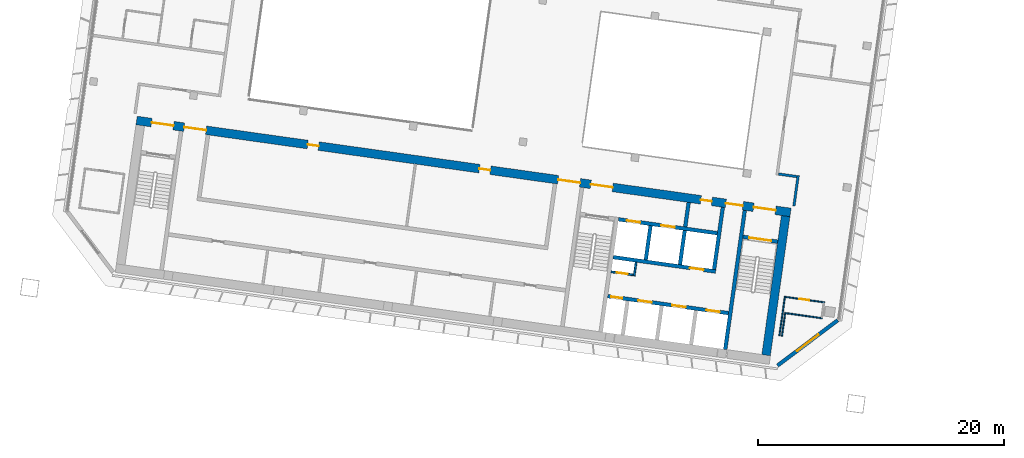
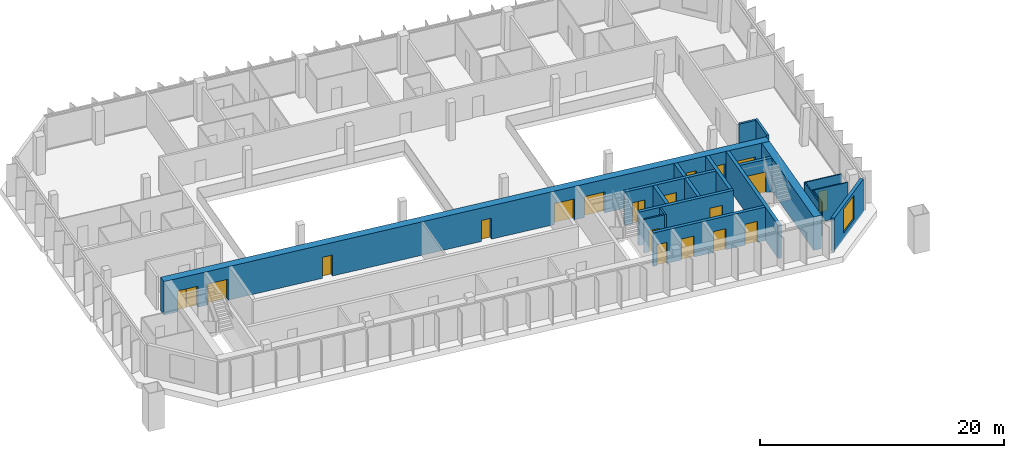
# One storey, part 16 of 25: 20 walls, 19 doors, 1 window, 20 openings.
"""IFC4 building model written with IfcOpenShell, lengths in metres."""

from ifc_helpers import new_model, si_unit, direction, frame, frame_2d, origin, place, context, subcontext, project, spatial, rectangle, extrude, material, layer, layer_set, type_object, element, fill, save


model = new_model("IFC4")

# Units and contexts
model_context = context("Model", 3, precision=1e-05, world=origin(), true_north=direction((0.0, 1.0)))
body_context = subcontext(model_context, "Body", "Model", "MODEL_VIEW")
ifc_project = project(units=[si_unit("LENGTHUNIT", "METRE"), si_unit("AREAUNIT", "SQUARE_METRE"), si_unit("VOLUMEUNIT", "CUBIC_METRE"), si_unit("PLANEANGLEUNIT", "RADIAN"), si_unit("MASSUNIT", "GRAM", prefix="KILO")], contexts=[model_context])

# Site, building, storey
site_placement = place(None, origin())
site = spatial("IfcSite", under=ifc_project, at=site_placement, CompositionType="ELEMENT")
building_placement = place(site_placement, origin())
building = spatial("IfcBuilding", under=site, at=building_placement, Name="Mirante Cascada Hotel Towers", CompositionType="ELEMENT")
storey_placement = place(building_placement, frame((0.0, 0.0, 172.6)))
storey = spatial("IfcBuildingStorey", under=building, at=storey_placement, Name="L40", CompositionType="ELEMENT", Elevation=172.6)

# Walls
ifc_material_1 = material(Name="Fire-rated plasterboard on metal studs")
ifc_layer_1 = layer(ifc_material_1, 0.2)
ifc_layer_set_1 = layer_set([ifc_layer_1], Name="Compartment wall 200 EI 120")
wall_type_1 = type_object("IfcWallType", Name="Compartment wall 200 EI 120", PredefinedType="PARTITIONING", material=ifc_layer_set_1)
wall_1_placement = place(storey_placement, frame((-35.0284, -4.7267, 0.0), z_axis=(0.0, 0.0, 1.0), x_axis=(-0.9902735, 0.1391343, 0.0)))
element("IfcWall", 1, at=wall_1_placement, inside=storey, type_object=wall_type_1, Name="Wall 1-L40-05", PredefinedType="PARTITIONING", context=body_context, shape_type="SweptSolid", body=[
    extrude(rectangle(XDim=1.5, YDim=0.2, at=frame_2d((0.75, 0.0))), origin(), (0.0, 0.0, 1.0), 3.35),
])
wall_2_placement = place(storey_placement, frame((-35.2634, -7.1173, 0.0), z_axis=(0.0, 0.0, 1.0), x_axis=(0.1391586, 0.9902701, 0.0)))
element("IfcWall", 2, at=wall_2_placement, inside=storey, type_object=wall_type_1, Name="Wall 1-L40-25", PredefinedType="PARTITIONING", context=body_context, shape_type="SweptSolid", body=[
    extrude(rectangle(XDim=2.5, YDim=0.2, at=frame_2d((1.25, 0.0))), origin(), (0.0, 0.0, 1.0), 3.35),
])
ifc_material_2 = material(Name="Masonry block", Category="masonry")
ifc_layer_2 = layer(ifc_material_2, 0.15)
ifc_layer_set_2 = layer_set([ifc_layer_2], Name="Core room partition 150 block EI 30")
wall_type_2 = type_object("IfcWallType", Name="Core room partition 150 block EI 30", PredefinedType="PARTITIONING", material=ifc_layer_set_2)
wall_3_placement = place(storey_placement, frame((-48.2295, -12.793, 0.0), z_axis=(0.0, 0.0, 1.0), x_axis=(0.1391935, 0.9902652, 0.0)))
element("IfcWall", 3, at=wall_3_placement, inside=storey, type_object=wall_type_2, Name="Core wall partition T1 L40 2", PredefinedType="PARTITIONING", context=body_context, shape_type="SweptSolid", body=[
    extrude(rectangle(XDim=1.1251, YDim=0.15, at=frame_2d((0.5626, 0.0))), origin(), (0.0, 0.0, 1.0), 3.35),
])

# Wall, opening, door
wall_4_placement = place(storey_placement, frame((-48.2933, -12.7083, 0.0), z_axis=(0.0, 0.0, 1.0), x_axis=(-0.990268, 0.1391734, 0.0)))
wall_4 = element("IfcWall", 4, at=wall_4_placement, inside=storey, type_object=wall_type_2, Name="Core wall partition T1 L40 3", PredefinedType="PARTITIONING", context=body_context, shape_type="SweptSolid", body=[
    extrude(rectangle(XDim=1.8251, YDim=0.15, at=frame_2d((0.9126, 0.0))), origin(), (0.0, 0.0, 1.0), 3.35),
])
opening_1_placement = place(wall_4_placement, frame((0.4625, 0.0, 0.0)))
opening_1 = element("IfcOpeningElement", 5, at=opening_1_placement, cuts=wall_4, Name="Opening D1-40-C17", PredefinedType="OPENING", context=body_context, shape_type="SweptSolid", body=[
    extrude(rectangle(XDim=0.9, YDim=2.1, at=frame_2d((0.45, 1.05))), frame((0.0, 0.075, 0.0), z_axis=(0.0, -1.0, 0.0), x_axis=(1.0, 0.0, 0.0)), (0.0, 0.0, 1.0), 0.15),
])
ifc_material_3 = material(Name="Hollow metal fire door leaf")
door_type_1 = type_object("IfcDoorType", Name="Fire door 900x2100 FD60", OperationType="NOTDEFINED", PredefinedType="DOOR", material=ifc_material_3)
door_1_placement = place(opening_1_placement, origin())
door_1 = element("IfcDoor", 6, at=door_1_placement, inside=storey, type_object=door_type_1, Name="Riser door T1 L40 17", OperationType="SINGLE_SWING_LEFT", OverallHeight=2.1, OverallWidth=0.9, PredefinedType="DOOR", context=body_context, shape_type="SweptSolid", body=[
    extrude(rectangle(XDim=0.9, YDim=2.1, at=frame_2d((0.45, 1.05))), frame((0.0, 0.025, 0.0), z_axis=(0.0, -1.0, 0.0), x_axis=(1.0, 0.0, 0.0)), (0.0, 0.0, 1.0), 0.05),
])
fill(opening_1, door_1)

# Walls
ifc_material_4 = material(Name="Masonry block", Category="masonry")
ifc_layer_3 = layer(ifc_material_4, 0.3)
ifc_layer_set_3 = layer_set([ifc_layer_3], Name="Core wall 300 block EI 120")
wall_type_3 = type_object("IfcWallType", Name="Core wall 300 block EI 120", PredefinedType="PARTITIONING", material=ifc_layer_set_3)
wall_5_placement = place(storey_placement, frame((-44.0843, -8.8061, 0.0), z_axis=(0.0, 0.0, 1.0), x_axis=(0.1391951, 0.990265, 0.0)))
element("IfcWall", 7, at=wall_5_placement, inside=storey, type_object=wall_type_3, Name="Core wall partition T1 L40 1", PredefinedType="PARTITIONING", context=body_context, shape_type="SweptSolid", body=[
    extrude(rectangle(XDim=2.0001, YDim=0.3, at=frame_2d((1.0001, 0.0))), origin(), (0.0, 0.0, 1.0), 3.35),
])
ifc_material_5 = material(Name="Plasterboard on metal studs")
ifc_layer_4 = layer(ifc_material_5, 0.1)
ifc_layer_set_4 = layer_set([ifc_layer_4], Name="Partition 100")
wall_type_4 = type_object("IfcWallType", Name="Partition 100", PredefinedType="PARTITIONING", material=ifc_layer_set_4)
wall_6_placement = place(storey_placement, frame((-32.9588, -16.2267, 0.0), z_axis=(0.0, 0.0, 1.0), x_axis=(-0.9902677, 0.1391761, 0.0)))
element("IfcWall", 8, at=wall_6_placement, inside=storey, type_object=wall_type_4, Name="Wall 1-L40-01", PredefinedType="PARTITIONING", context=body_context, shape_type="SweptSolid", body=[
    extrude(rectangle(XDim=3.0932, YDim=0.1, at=frame_2d((1.5466, 0.0))), origin(), (0.0, 0.0, 1.0), 3.35),
])

# Wall, opening, door
wall_7_placement = place(storey_placement, frame((-32.7778, -14.9393, 0.0), z_axis=(0.0, 0.0, 1.0), x_axis=(-0.9902711, 0.1391513, 0.0)))
wall_7 = element("IfcWall", 9, at=wall_7_placement, inside=storey, type_object=wall_type_4, Name="Wall 1-L40-03", PredefinedType="PARTITIONING", context=body_context, shape_type="SweptSolid", body=[
    extrude(rectangle(XDim=3.3, YDim=0.1, at=frame_2d((1.65, 0.0))), origin(), (0.0, 0.0, 1.0), 3.35),
])
opening_2_placement = place(wall_7_placement, frame((1.25, 0.0, 0.0)))
opening_2 = element("IfcOpeningElement", 10, at=opening_2_placement, cuts=wall_7, Name="Opening D1-L40-01", PredefinedType="OPENING", context=body_context, shape_type="SweptSolid", body=[
    extrude(rectangle(XDim=0.8, YDim=2.1, at=frame_2d((0.4, 1.05))), frame((0.0, 0.05, 0.0), z_axis=(0.0, -1.0, 0.0), x_axis=(1.0, 0.0, 0.0)), (0.0, 0.0, 1.0), 0.1),
])
ifc_material_6 = material(Name="Timber door leaf", Category="wood")
door_type_2 = type_object("IfcDoorType", Name="Bathroom door DG4 800x2100", OperationType="SINGLE_SWING_LEFT", PredefinedType="DOOR", material=ifc_material_6)
door_2_placement = place(opening_2_placement, frame((0.8, 0.0, 0.0), z_axis=(0.0, 0.0, 1.0), x_axis=(-1.0, 0.0, 0.0)))
door_2 = element("IfcDoor", 11, at=door_2_placement, inside=storey, type_object=door_type_2, Name="Door D1-L40-01", OperationType="SINGLE_SWING_RIGHT", OverallHeight=2.1, OverallWidth=0.8, PredefinedType="DOOR", context=body_context, shape_type="SweptSolid", body=[
    extrude(rectangle(XDim=0.8, YDim=2.1, at=frame_2d((0.4, 1.05))), frame((0.0, 0.025, 0.0), z_axis=(0.0, -1.0, 0.0), x_axis=(1.0, 0.0, 0.0)), (0.0, 0.0, 1.0), 0.05),
])
fill(opening_2, door_2)

# Walls
wall_8_placement = place(storey_placement, frame((-36.2368, -17.6847, 0.0), z_axis=(0.0, 0.0, 1.0), x_axis=(0.1391886, 0.9902659, 0.0)))
element("IfcWall", 12, at=wall_8_placement, inside=storey, type_object=wall_type_4, Name="Wall 1-L40-23", PredefinedType="PARTITIONING", context=body_context, shape_type="SweptSolid", body=[
    extrude(rectangle(XDim=1.85, YDim=0.1, at=frame_2d((0.925, 0.0))), origin(), (0.0, 0.0, 1.0), 3.35),
])
wall_9_placement = place(storey_placement, frame((-36.0032, -14.5365, 0.0), z_axis=(0.0, 0.0, 1.0), x_axis=(-0.1391721, -0.9902682, 0.0)))
element("IfcWall", 13, at=wall_9_placement, inside=storey, type_object=wall_type_4, Name="Wall 1-L40-24", PredefinedType="PARTITIONING", context=body_context, shape_type="SweptSolid", body=[
    extrude(rectangle(XDim=3.1501, YDim=0.1, at=frame_2d((1.575, 0.0))), origin(), (0.0, 0.0, 1.0), 3.35),
])

# Wall, opening, window
ifc_material_7 = material(Name="Precast concrete C40/50", Category="concrete")
ifc_layer_5 = layer(ifc_material_7, 0.3)
ifc_layer_set_5 = layer_set([ifc_layer_5], Name="Precast concrete C40/50 cladding wall 300")
wall_type_5 = type_object("IfcWallType", Name="Precast concrete C40/50 cladding wall 300", PredefinedType="STANDARD", material=ifc_layer_set_5)
wall_10_placement = place(storey_placement, frame((-31.7056, -16.3843, 0.0), z_axis=(0.0, 0.0, 1.0), x_axis=(-0.7986362, -0.6018141, 0.0)))
wall_10 = element("IfcWall", 14, at=wall_10_placement, inside=storey, type_object=wall_type_5, Name="Corner cladding wall T1 L40 inner rear", PredefinedType="STANDARD", context=body_context, shape_type="SweptSolid", body=[
    extrude(rectangle(XDim=6.1157, YDim=0.3, at=frame_2d((3.0578, 0.0))), origin(), (0.0, 0.0, 1.0), 3.35),
])
opening_3_placement = place(wall_10_placement, frame((1.9578, 0.0, 0.6)))
opening_3 = element("IfcOpeningElement", 15, at=opening_3_placement, cuts=wall_10, Name="Opening W1-40-04", PredefinedType="OPENING", context=body_context, shape_type="SweptSolid", body=[
    extrude(rectangle(XDim=2.2, YDim=2.4, at=frame_2d((1.1, 1.2))), frame((0.0, 0.15, 0.0), z_axis=(0.0, -1.0, 0.0), x_axis=(1.0, 0.0, 0.0)), (0.0, 0.0, 1.0), 0.3),
])
ifc_material_8 = material(Name="Aluminium frame with clear double glazing", Category="aluminium")
window_type = type_object("IfcWindowType", Name="Corner suite window 2200x2400", PartitioningType="DOUBLE_PANEL_VERTICAL", PredefinedType="WINDOW", material=ifc_material_8)
window_placement = place(opening_3_placement, origin())
window = element("IfcWindow", 16, at=window_placement, inside=storey, type_object=window_type, Name="Window W1-40-04", OverallHeight=2.4, OverallWidth=2.2, PartitioningType="SINGLE_PANEL", PredefinedType="WINDOW", context=body_context, shape_type="SweptSolid", body=[
    extrude(rectangle(XDim=2.2, YDim=2.4, at=frame_2d((1.1, 1.2))), frame((0.0, 0.03, 0.0), z_axis=(0.0, -1.0, 0.0), x_axis=(1.0, 0.0, 0.0)), (0.0, 0.0, 1.0), 0.06),
])
fill(opening_3, window)

# Wall
ifc_material_9 = material(Name="Concrete C50/60", Category="concrete")
ifc_layer_6 = layer(ifc_material_9, 0.3)
ifc_layer_set_6 = layer_set([ifc_layer_6], Name="RC core wall 300 C50/60")
wall_type_6 = type_object("IfcWallType", Name="RC core wall 300 C50/60", PredefinedType="SHEAR", material=ifc_layer_set_6)
wall_11_placement = place(storey_placement, frame((-40.8373, -18.7548, 0.0), z_axis=(0.0, 0.0, 1.0), x_axis=(0.1391749, 0.9902678, 0.0)))
element("IfcWall", 17, at=wall_11_placement, inside=storey, type_object=wall_type_6, Name="Core wall T1:L40:5", PredefinedType="SHEAR", context=body_context, shape_type="SweptSolid", body=[
    extrude(rectangle(XDim=11.4, YDim=0.3, at=frame_2d((5.7, 0.0))), origin(), (0.0, 0.0, 1.0), 3.35),
])

# Wall, opening, door
wall_12_placement = place(storey_placement, frame((-36.5791, -10.0123, 0.0), z_axis=(0.0, 0.0, 1.0), x_axis=(-0.9902704, 0.1391564, 0.0)))
wall_12 = element("IfcWall", 18, at=wall_12_placement, inside=storey, type_object=wall_type_6, Name="Core wall T1:L40:9", PredefinedType="SHEAR", context=body_context, shape_type="SweptSolid", body=[
    extrude(rectangle(XDim=2.85, YDim=0.3, at=frame_2d((1.425, 0.0))), origin(), (0.0, 0.0, 1.0), 3.35),
])
opening_4_placement = place(wall_12_placement, frame((0.525, 0.0, 0.0)))
opening_4 = element("IfcOpeningElement", 19, at=opening_4_placement, cuts=wall_12, Name="Opening D1-40-C07", PredefinedType="OPENING", context=body_context, shape_type="SweptSolid", body=[
    extrude(rectangle(XDim=1.8, YDim=2.1, at=frame_2d((0.9, 1.05))), frame((0.0, 0.15, 0.0), z_axis=(0.0, -1.0, 0.0), x_axis=(1.0, 0.0, 0.0)), (0.0, 0.0, 1.0), 0.3),
])
ifc_material_10 = material(Name="Hollow metal fire door leaf")
door_type_3 = type_object("IfcDoorType", Name="Double fire door 1800x2100 FD60", OperationType="DOUBLE_DOOR_SINGLE_SWING", PredefinedType="DOOR", material=ifc_material_10)
door_3_placement = place(opening_4_placement, origin())
door_3 = element("IfcDoor", 20, at=door_3_placement, inside=storey, type_object=door_type_3, Name="Stair door T1 L40 7", OperationType="DOUBLE_DOOR_SINGLE_SWING", OverallHeight=2.1, OverallWidth=1.8, PredefinedType="DOOR", context=body_context, shape_type="SweptSolid", body=[
    extrude(rectangle(XDim=0.895, YDim=2.1, at=frame_2d((0.4475, 1.05))), frame((0.0, 0.025, 0.0), z_axis=(0.0, -1.0, 0.0), x_axis=(1.0, 0.0, 0.0)), (0.0, 0.0, 1.0), 0.05),
    extrude(rectangle(XDim=0.895, YDim=2.1, at=frame_2d((1.3525, 1.05))), frame((0.0, 0.025, 0.0), z_axis=(0.0, -1.0, 0.0), x_axis=(1.0, 0.0, 0.0)), (0.0, 0.0, 1.0), 0.05),
])
fill(opening_4, door_3)

# Wall, openings, doors
wall_13_placement = place(storey_placement, frame((-40.5753, -15.8126, 0.0), z_axis=(0.0, 0.0, 1.0), x_axis=(-0.9902682, 0.1391725, 0.0)))
wall_13 = element("IfcWall", 21, at=wall_13_placement, inside=storey, type_object=wall_type_6, Name="Core wall T1:L40:12", PredefinedType="SHEAR", context=body_context, shape_type="SweptSolid", body=[
    extrude(rectangle(XDim=9.8999, YDim=0.3, at=frame_2d((4.95, 0.0))), origin(), (0.0, 0.0, 1.0), 3.35),
])
opening_5_placement = place(wall_13_placement, frame((0.7, 0.0, 0.0)))
opening_5 = element("IfcOpeningElement", 22, at=opening_5_placement, cuts=wall_13, Name="Opening LD", PredefinedType="OPENING", context=body_context, shape_type="SweptSolid", body=[
    extrude(rectangle(XDim=1.1, YDim=2.1, at=frame_2d((0.55, 1.05))), frame((0.0, 0.15, 0.0), z_axis=(0.0, -1.0, 0.0), x_axis=(1.0, 0.0, 0.0)), (0.0, 0.0, 1.0), 0.3),
])
opening_6_placement = place(wall_13_placement, frame((3.5, 0.0, 0.0)))
opening_6 = element("IfcOpeningElement", 23, at=opening_6_placement, cuts=wall_13, Name="Opening LD", PredefinedType="OPENING", context=body_context, shape_type="SweptSolid", body=[
    extrude(rectangle(XDim=1.1, YDim=2.1, at=frame_2d((0.55, 1.05))), frame((0.0, 0.15, 0.0), z_axis=(0.0, -1.0, 0.0), x_axis=(1.0, 0.0, 0.0)), (0.0, 0.0, 1.0), 0.3),
])
opening_7_placement = place(wall_13_placement, frame((6.3, 0.0, 0.0)))
opening_7 = element("IfcOpeningElement", 24, at=opening_7_placement, cuts=wall_13, Name="Opening LD", PredefinedType="OPENING", context=body_context, shape_type="SweptSolid", body=[
    extrude(rectangle(XDim=1.1, YDim=2.1, at=frame_2d((0.55, 1.05))), frame((0.0, 0.15, 0.0), z_axis=(0.0, -1.0, 0.0), x_axis=(1.0, 0.0, 0.0)), (0.0, 0.0, 1.0), 0.3),
])
opening_8_placement = place(wall_13_placement, frame((8.7, 0.0, 0.0)))
opening_8 = element("IfcOpeningElement", 25, at=opening_8_placement, cuts=wall_13, Name="Opening D1-40-C16", PredefinedType="OPENING", context=body_context, shape_type="SweptSolid", body=[
    extrude(rectangle(XDim=0.9, YDim=2.1, at=frame_2d((0.45, 1.05))), frame((0.0, 0.15, 0.0), z_axis=(0.0, -1.0, 0.0), x_axis=(1.0, 0.0, 0.0)), (0.0, 0.0, 1.0), 0.3),
])
door_4_placement = place(opening_8_placement, origin())
door_4 = element("IfcDoor", 26, at=door_4_placement, inside=storey, type_object=door_type_1, Name="Riser door T1 L40 16", OperationType="SINGLE_SWING_LEFT", OverallHeight=2.1, OverallWidth=0.9, PredefinedType="DOOR", context=body_context, shape_type="SweptSolid", body=[
    extrude(rectangle(XDim=0.9, YDim=2.1, at=frame_2d((0.45, 1.05))), frame((0.0, 0.025, 0.0), z_axis=(0.0, -1.0, 0.0), x_axis=(1.0, 0.0, 0.0)), (0.0, 0.0, 1.0), 0.05),
])
fill(opening_8, door_4)
ifc_material_11 = material(Name="Stainless steel", Category="steel")
door_type_4 = type_object("IfcDoorType", Name="Lift landing door 1100x2100 EI 120", OperationType="DOUBLE_DOOR_SLIDING", PredefinedType="DOOR", material=ifc_material_11)
door_5_placement = place(opening_5_placement, origin())
door_5 = element("IfcDoor", 27, at=door_5_placement, inside=storey, type_object=door_type_4, Name="Lift landing door HR1-1 L40", OperationType="DOUBLE_DOOR_SLIDING", OverallHeight=2.1, OverallWidth=1.1, PredefinedType="DOOR", context=body_context, shape_type="SweptSolid", body=[
    extrude(rectangle(XDim=0.545, YDim=2.1, at=frame_2d((0.2725, 1.05))), frame((0.0, 0.025, 0.0), z_axis=(0.0, -1.0, 0.0), x_axis=(1.0, 0.0, 0.0)), (0.0, 0.0, 1.0), 0.05),
    extrude(rectangle(XDim=0.545, YDim=2.1, at=frame_2d((0.8275, 1.05))), frame((0.0, 0.025, 0.0), z_axis=(0.0, -1.0, 0.0), x_axis=(1.0, 0.0, 0.0)), (0.0, 0.0, 1.0), 0.05),
])
fill(opening_5, door_5)
door_6_placement = place(opening_6_placement, origin())
door_6 = element("IfcDoor", 28, at=door_6_placement, inside=storey, type_object=door_type_4, Name="Lift landing door HR1-2 L40", OperationType="DOUBLE_DOOR_SLIDING", OverallHeight=2.1, OverallWidth=1.1, PredefinedType="DOOR", context=body_context, shape_type="SweptSolid", body=[
    extrude(rectangle(XDim=0.545, YDim=2.1, at=frame_2d((0.2725, 1.05))), frame((0.0, 0.025, 0.0), z_axis=(0.0, -1.0, 0.0), x_axis=(1.0, 0.0, 0.0)), (0.0, 0.0, 1.0), 0.05),
    extrude(rectangle(XDim=0.545, YDim=2.1, at=frame_2d((0.8275, 1.05))), frame((0.0, 0.025, 0.0), z_axis=(0.0, -1.0, 0.0), x_axis=(1.0, 0.0, 0.0)), (0.0, 0.0, 1.0), 0.05),
])
fill(opening_6, door_6)
door_7_placement = place(opening_7_placement, origin())
door_7 = element("IfcDoor", 29, at=door_7_placement, inside=storey, type_object=door_type_4, Name="Lift landing door HR1-3 L40", OperationType="DOUBLE_DOOR_SLIDING", OverallHeight=2.1, OverallWidth=1.1, PredefinedType="DOOR", context=body_context, shape_type="SweptSolid", body=[
    extrude(rectangle(XDim=0.545, YDim=2.1, at=frame_2d((0.2725, 1.05))), frame((0.0, 0.025, 0.0), z_axis=(0.0, -1.0, 0.0), x_axis=(1.0, 0.0, 0.0)), (0.0, 0.0, 1.0), 0.05),
    extrude(rectangle(XDim=0.545, YDim=2.1, at=frame_2d((0.8275, 1.05))), frame((0.0, 0.025, 0.0), z_axis=(0.0, -1.0, 0.0), x_axis=(1.0, 0.0, 0.0)), (0.0, 0.0, 1.0), 0.05),
])
fill(opening_7, door_7)

# Wall, opening, door
wall_14_placement = place(storey_placement, frame((-41.6153, -12.435, 0.0), z_axis=(0.0, 0.0, 1.0), x_axis=(-0.9902691, 0.139166, 0.0)))
wall_14 = element("IfcWall", 30, at=wall_14_placement, inside=storey, type_object=wall_type_6, Name="Core wall T1:L40:13", PredefinedType="SHEAR", context=body_context, shape_type="SweptSolid", body=[
    extrude(rectangle(XDim=8.4, YDim=0.3, at=frame_2d((4.2, 0.0))), origin(), (0.0, 0.0, 1.0), 3.35),
])
opening_9_placement = place(wall_14_placement, frame((1.0, 0.0, 0.0)))
opening_9 = element("IfcOpeningElement", 31, at=opening_9_placement, cuts=wall_14, Name="Opening LD", PredefinedType="OPENING", context=body_context, shape_type="SweptSolid", body=[
    extrude(rectangle(XDim=1.1, YDim=2.1, at=frame_2d((0.55, 1.05))), frame((0.0, 0.15, 0.0), z_axis=(0.0, -1.0, 0.0), x_axis=(1.0, 0.0, 0.0)), (0.0, 0.0, 1.0), 0.3),
])
door_8_placement = place(opening_9_placement, origin())
door_8 = element("IfcDoor", 32, at=door_8_placement, inside=storey, type_object=door_type_4, Name="Lift landing door HR1-4 L40", OperationType="DOUBLE_DOOR_SLIDING", OverallHeight=2.1, OverallWidth=1.1, PredefinedType="DOOR", context=body_context, shape_type="SweptSolid", body=[
    extrude(rectangle(XDim=0.545, YDim=2.1, at=frame_2d((0.2725, 1.05))), frame((0.0, 0.025, 0.0), z_axis=(0.0, -1.0, 0.0), x_axis=(1.0, 0.0, 0.0)), (0.0, 0.0, 1.0), 0.05),
    extrude(rectangle(XDim=0.545, YDim=2.1, at=frame_2d((0.8275, 1.05))), frame((0.0, 0.025, 0.0), z_axis=(0.0, -1.0, 0.0), x_axis=(1.0, 0.0, 0.0)), (0.0, 0.0, 1.0), 0.05),
])
fill(opening_9, door_8)

# Wall, openings, doors
wall_15_placement = place(storey_placement, frame((-41.481, -9.3234, 0.0), z_axis=(0.0, 0.0, 1.0), x_axis=(-0.9902679, 0.1391741, 0.0)))
wall_15 = element("IfcWall", 33, at=wall_15_placement, inside=storey, type_object=wall_type_6, Name="Core wall T1:L40:14", PredefinedType="SHEAR", context=body_context, shape_type="SweptSolid", body=[
    extrude(rectangle(XDim=8.0999, YDim=0.3, at=frame_2d((4.05, 0.0))), origin(), (0.0, 0.0, 1.0), 3.35),
])
opening_10_placement = place(wall_15_placement, frame((3.5, 0.0, 0.0)))
opening_10 = element("IfcOpeningElement", 34, at=opening_10_placement, cuts=wall_15, Name="Opening LD", PredefinedType="OPENING", context=body_context, shape_type="SweptSolid", body=[
    extrude(rectangle(XDim=1.1, YDim=2.1, at=frame_2d((0.55, 1.05))), frame((0.0, 0.15, 0.0), z_axis=(0.0, -1.0, 0.0), x_axis=(1.0, 0.0, 0.0)), (0.0, 0.0, 1.0), 0.3),
])
opening_11_placement = place(wall_15_placement, frame((6.3, 0.0, 0.0)))
opening_11 = element("IfcOpeningElement", 35, at=opening_11_placement, cuts=wall_15, Name="Opening LD", PredefinedType="OPENING", context=body_context, shape_type="SweptSolid", body=[
    extrude(rectangle(XDim=1.1, YDim=2.1, at=frame_2d((0.55, 1.05))), frame((0.0, 0.15, 0.0), z_axis=(0.0, -1.0, 0.0), x_axis=(1.0, 0.0, 0.0)), (0.0, 0.0, 1.0), 0.3),
])
door_9_placement = place(opening_10_placement, origin())
door_9 = element("IfcDoor", 36, at=door_9_placement, inside=storey, type_object=door_type_4, Name="Lift landing door FF1 L40", OperationType="DOUBLE_DOOR_SLIDING", OverallHeight=2.1, OverallWidth=1.1, PredefinedType="DOOR", context=body_context, shape_type="SweptSolid", body=[
    extrude(rectangle(XDim=0.545, YDim=2.1, at=frame_2d((0.2725, 1.05))), frame((0.0, 0.025, 0.0), z_axis=(0.0, -1.0, 0.0), x_axis=(1.0, 0.0, 0.0)), (0.0, 0.0, 1.0), 0.05),
    extrude(rectangle(XDim=0.545, YDim=2.1, at=frame_2d((0.8275, 1.05))), frame((0.0, 0.025, 0.0), z_axis=(0.0, -1.0, 0.0), x_axis=(1.0, 0.0, 0.0)), (0.0, 0.0, 1.0), 0.05),
])
fill(opening_10, door_9)
door_10_placement = place(opening_11_placement, origin())
door_10 = element("IfcDoor", 37, at=door_10_placement, inside=storey, type_object=door_type_4, Name="Lift landing door FF2 L40", OperationType="DOUBLE_DOOR_SLIDING", OverallHeight=2.1, OverallWidth=1.1, PredefinedType="DOOR", context=body_context, shape_type="SweptSolid", body=[
    extrude(rectangle(XDim=0.545, YDim=2.1, at=frame_2d((0.2725, 1.05))), frame((0.0, 0.025, 0.0), z_axis=(0.0, -1.0, 0.0), x_axis=(1.0, 0.0, 0.0)), (0.0, 0.0, 1.0), 0.05),
    extrude(rectangle(XDim=0.545, YDim=2.1, at=frame_2d((0.8275, 1.05))), frame((0.0, 0.025, 0.0), z_axis=(0.0, -1.0, 0.0), x_axis=(1.0, 0.0, 0.0)), (0.0, 0.0, 1.0), 0.05),
])
fill(opening_11, door_10)

# Walls
for number, where, z_axis, x_axis, name in (
    (38, (-44.5157, -11.8759, 0.0), (0.0, 0.0, 1.0), (0.139181, 0.990267, 0.0), "Core wall T1:L40:18"),
    (39, (-47.2885, -11.4862, 0.0), (0.0, 0.0, 1.0), (0.139181, 0.990267, 0.0), "Core wall T1:L40:19"),
):
    element("IfcWall", number, at=place(storey_placement, frame(where, z_axis=z_axis, x_axis=x_axis)), inside=storey, type_object=wall_type_6, Name=name, PredefinedType="SHEAR", context=body_context, shape_type="SweptSolid", body=[
        extrude(rectangle(XDim=2.8, YDim=0.3, at=frame_2d((1.4, 0.0))), origin(), (0.0, 0.0, 1.0), 3.35),
    ])
wall_16_placement = place(storey_placement, frame((-41.743, -12.2656, 0.0), z_axis=(0.0, 0.0, 1.0), x_axis=(0.1391755, 0.9902677, 0.0)))
element("IfcWall", 40, at=wall_16_placement, inside=storey, type_object=wall_type_6, Name="Core wall T1:L40:20", PredefinedType="SHEAR", context=body_context, shape_type="SweptSolid", body=[
    extrude(rectangle(XDim=5.1, YDim=0.3, at=frame_2d((2.55, 0.0))), origin(), (0.0, 0.0, 1.0), 3.35),
])

# Wall, openings, doors
ifc_material_12 = material(Name="Concrete C50/60", Category="concrete")
ifc_layer_7 = layer(ifc_material_12, 0.7)
ifc_layer_set_7 = layer_set([ifc_layer_7], Name="RC core wall 700 C50/60")
wall_type_7 = type_object("IfcWallType", Name="RC core wall 700 C50/60", PredefinedType="SHEAR", material=ifc_layer_set_7)
wall_17_placement = place(storey_placement, frame((-35.538, -7.6341, 0.0), z_axis=(0.0, 0.0, 1.0), x_axis=(-0.990268, 0.1391734, 0.0)))
wall_17 = element("IfcWall", 41, at=wall_17_placement, inside=storey, type_object=wall_type_7, Name="Core wall T1:L40:2", PredefinedType="SHEAR", context=body_context, shape_type="SweptSolid", body=[
    extrude(rectangle(XDim=53.6, YDim=0.7, at=frame_2d((26.8, 0.0))), origin(), (0.0, 0.0, 1.0), 3.35),
])
opening_12_placement = place(wall_17_placement, frame((1.225, 0.0, 0.0)))
opening_12 = element("IfcOpeningElement", 42, at=opening_12_placement, cuts=wall_17, Name="Opening D1-40-C08", PredefinedType="OPENING", context=body_context, shape_type="SweptSolid", body=[
    extrude(rectangle(XDim=1.8, YDim=2.1, at=frame_2d((0.9, 1.05))), frame((0.0, 0.35, 0.0), z_axis=(0.0, -1.0, 0.0), x_axis=(1.0, 0.0, 0.0)), (0.0, 0.0, 1.0), 0.7),
])
opening_13_placement = place(wall_17_placement, frame((14.575, 0.0, 0.0)))
opening_13 = element("IfcOpeningElement", 43, at=opening_13_placement, cuts=wall_17, Name="Opening D1-40-C10", PredefinedType="OPENING", context=body_context, shape_type="SweptSolid", body=[
    extrude(rectangle(XDim=1.8, YDim=2.1, at=frame_2d((0.9, 1.05))), frame((0.0, 0.35, 0.0), z_axis=(0.0, -1.0, 0.0), x_axis=(1.0, 0.0, 0.0)), (0.0, 0.0, 1.0), 0.7),
])
opening_14_placement = place(wall_17_placement, frame((50.575, 0.0, 0.0)))
opening_14 = element("IfcOpeningElement", 44, at=opening_14_placement, cuts=wall_17, Name="Opening D1-40-C12", PredefinedType="OPENING", context=body_context, shape_type="SweptSolid", body=[
    extrude(rectangle(XDim=1.8, YDim=2.1, at=frame_2d((0.9, 1.05))), frame((0.0, 0.35, 0.0), z_axis=(0.0, -1.0, 0.0), x_axis=(1.0, 0.0, 0.0)), (0.0, 0.0, 1.0), 0.7),
])
opening_15_placement = place(wall_17_placement, frame((3.9, 0.0, 0.0)))
opening_15 = element("IfcOpeningElement", 45, at=opening_15_placement, cuts=wall_17, Name="Opening D1-40-C13", PredefinedType="OPENING", context=body_context, shape_type="SweptSolid", body=[
    extrude(rectangle(XDim=1.4, YDim=2.1, at=frame_2d((0.7, 1.05))), frame((0.0, 0.35, 0.0), z_axis=(0.0, -1.0, 0.0), x_axis=(1.0, 0.0, 0.0)), (0.0, 0.0, 1.0), 0.7),
])
opening_16_placement = place(wall_17_placement, frame((17.25, 0.0, 0.0)))
opening_16 = element("IfcOpeningElement", 46, at=opening_16_placement, cuts=wall_17, Name="Opening D1-40-C14", PredefinedType="OPENING", context=body_context, shape_type="SweptSolid", body=[
    extrude(rectangle(XDim=1.8, YDim=2.1, at=frame_2d((0.9, 1.05))), frame((0.0, 0.35, 0.0), z_axis=(0.0, -1.0, 0.0), x_axis=(1.0, 0.0, 0.0)), (0.0, 0.0, 1.0), 0.7),
])
opening_17_placement = place(wall_17_placement, frame((47.9, 0.0, 0.0)))
opening_17 = element("IfcOpeningElement", 47, at=opening_17_placement, cuts=wall_17, Name="Opening D1-40-C15", PredefinedType="OPENING", context=body_context, shape_type="SweptSolid", body=[
    extrude(rectangle(XDim=1.8, YDim=2.1, at=frame_2d((0.9, 1.05))), frame((0.0, 0.35, 0.0), z_axis=(0.0, -1.0, 0.0), x_axis=(1.0, 0.0, 0.0)), (0.0, 0.0, 1.0), 0.7),
])
opening_18_placement = place(wall_17_placement, frame((6.45, 0.0, 0.0)))
opening_18 = element("IfcOpeningElement", 48, at=opening_18_placement, cuts=wall_17, Name="Opening D1-40-C18", PredefinedType="OPENING", context=body_context, shape_type="SweptSolid", body=[
    extrude(rectangle(XDim=0.9, YDim=2.1, at=frame_2d((0.45, 1.05))), frame((0.0, 0.35, 0.0), z_axis=(0.0, -1.0, 0.0), x_axis=(1.0, 0.0, 0.0)), (0.0, 0.0, 1.0), 0.7),
])
opening_19_placement = place(wall_17_placement, frame((24.6, 0.0, 0.0)))
opening_19 = element("IfcOpeningElement", 49, at=opening_19_placement, cuts=wall_17, Name="Opening D1-40-C24", PredefinedType="OPENING", context=body_context, shape_type="SweptSolid", body=[
    extrude(rectangle(XDim=0.9, YDim=2.1, at=frame_2d((0.45, 1.05))), frame((0.0, 0.35, 0.0), z_axis=(0.0, -1.0, 0.0), x_axis=(1.0, 0.0, 0.0)), (0.0, 0.0, 1.0), 0.7),
])
opening_20_placement = place(wall_17_placement, frame((38.675, 0.0, 0.0)))
opening_20 = element("IfcOpeningElement", 50, at=opening_20_placement, cuts=wall_17, Name="Opening D1-40-C25", PredefinedType="OPENING", context=body_context, shape_type="SweptSolid", body=[
    extrude(rectangle(XDim=0.9, YDim=2.1, at=frame_2d((0.45, 1.05))), frame((0.0, 0.35, 0.0), z_axis=(0.0, -1.0, 0.0), x_axis=(1.0, 0.0, 0.0)), (0.0, 0.0, 1.0), 0.7),
])
ifc_material_13 = material(Name="Hollow metal fire door leaf")
door_type_5 = type_object("IfcDoorType", Name="Double fire door 1400x2100 FD60", OperationType="DOUBLE_DOOR_SINGLE_SWING", PredefinedType="DOOR", material=ifc_material_13)
door_11_placement = place(opening_15_placement, frame((1.4, 0.0, 0.0), z_axis=(0.0, 0.0, 1.0), x_axis=(-1.0, 0.0, 0.0)))
door_11 = element("IfcDoor", 51, at=door_11_placement, inside=storey, type_object=door_type_5, Name="Exit door to gallery T1 L40 13", OperationType="DOUBLE_DOOR_SINGLE_SWING", OverallHeight=2.1, OverallWidth=1.4, PredefinedType="DOOR", context=body_context, shape_type="SweptSolid", body=[
    extrude(rectangle(XDim=0.695, YDim=2.1, at=frame_2d((0.3475, 1.05))), frame((0.0, 0.025, 0.0), z_axis=(0.0, -1.0, 0.0), x_axis=(1.0, 0.0, 0.0)), (0.0, 0.0, 1.0), 0.05),
    extrude(rectangle(XDim=0.695, YDim=2.1, at=frame_2d((1.0525, 1.05))), frame((0.0, 0.025, 0.0), z_axis=(0.0, -1.0, 0.0), x_axis=(1.0, 0.0, 0.0)), (0.0, 0.0, 1.0), 0.05),
])
fill(opening_15, door_11)
door_12_placement = place(opening_12_placement, origin())
door_12 = element("IfcDoor", 52, at=door_12_placement, inside=storey, type_object=door_type_3, Name="Exit door to gallery T1 L40 8", OperationType="DOUBLE_DOOR_SINGLE_SWING", OverallHeight=2.1, OverallWidth=1.8, PredefinedType="DOOR", context=body_context, shape_type="SweptSolid", body=[
    extrude(rectangle(XDim=0.895, YDim=2.1, at=frame_2d((0.4475, 1.05))), frame((0.0, 0.025, 0.0), z_axis=(0.0, -1.0, 0.0), x_axis=(1.0, 0.0, 0.0)), (0.0, 0.0, 1.0), 0.05),
    extrude(rectangle(XDim=0.895, YDim=2.1, at=frame_2d((1.3525, 1.05))), frame((0.0, 0.025, 0.0), z_axis=(0.0, -1.0, 0.0), x_axis=(1.0, 0.0, 0.0)), (0.0, 0.0, 1.0), 0.05),
])
fill(opening_12, door_12)
door_13_placement = place(opening_13_placement, origin())
door_13 = element("IfcDoor", 53, at=door_13_placement, inside=storey, type_object=door_type_3, Name="Exit door to gallery T1 L40 10", OperationType="DOUBLE_DOOR_SINGLE_SWING", OverallHeight=2.1, OverallWidth=1.8, PredefinedType="DOOR", context=body_context, shape_type="SweptSolid", body=[
    extrude(rectangle(XDim=0.895, YDim=2.1, at=frame_2d((0.4475, 1.05))), frame((0.0, 0.025, 0.0), z_axis=(0.0, -1.0, 0.0), x_axis=(1.0, 0.0, 0.0)), (0.0, 0.0, 1.0), 0.05),
    extrude(rectangle(XDim=0.895, YDim=2.1, at=frame_2d((1.3525, 1.05))), frame((0.0, 0.025, 0.0), z_axis=(0.0, -1.0, 0.0), x_axis=(1.0, 0.0, 0.0)), (0.0, 0.0, 1.0), 0.05),
])
fill(opening_13, door_13)
door_14_placement = place(opening_14_placement, origin())
door_14 = element("IfcDoor", 54, at=door_14_placement, inside=storey, type_object=door_type_3, Name="Exit door to gallery T1 L40 12", OperationType="DOUBLE_DOOR_SINGLE_SWING", OverallHeight=2.1, OverallWidth=1.8, PredefinedType="DOOR", context=body_context, shape_type="SweptSolid", body=[
    extrude(rectangle(XDim=0.895, YDim=2.1, at=frame_2d((0.4475, 1.05))), frame((0.0, 0.025, 0.0), z_axis=(0.0, -1.0, 0.0), x_axis=(1.0, 0.0, 0.0)), (0.0, 0.0, 1.0), 0.05),
    extrude(rectangle(XDim=0.895, YDim=2.1, at=frame_2d((1.3525, 1.05))), frame((0.0, 0.025, 0.0), z_axis=(0.0, -1.0, 0.0), x_axis=(1.0, 0.0, 0.0)), (0.0, 0.0, 1.0), 0.05),
])
fill(opening_14, door_14)
door_15_placement = place(opening_16_placement, frame((1.8, 0.0, 0.0), z_axis=(0.0, 0.0, 1.0), x_axis=(-1.0, 0.0, 0.0)))
door_15 = element("IfcDoor", 55, at=door_15_placement, inside=storey, type_object=door_type_3, Name="Exit door to gallery T1 L40 14", OperationType="DOUBLE_DOOR_SINGLE_SWING", OverallHeight=2.1, OverallWidth=1.8, PredefinedType="DOOR", context=body_context, shape_type="SweptSolid", body=[
    extrude(rectangle(XDim=0.895, YDim=2.1, at=frame_2d((0.4475, 1.05))), frame((0.0, 0.025, 0.0), z_axis=(0.0, -1.0, 0.0), x_axis=(1.0, 0.0, 0.0)), (0.0, 0.0, 1.0), 0.05),
    extrude(rectangle(XDim=0.895, YDim=2.1, at=frame_2d((1.3525, 1.05))), frame((0.0, 0.025, 0.0), z_axis=(0.0, -1.0, 0.0), x_axis=(1.0, 0.0, 0.0)), (0.0, 0.0, 1.0), 0.05),
])
fill(opening_16, door_15)
door_16_placement = place(opening_17_placement, frame((1.8, 0.0, 0.0), z_axis=(0.0, 0.0, 1.0), x_axis=(-1.0, 0.0, 0.0)))
door_16 = element("IfcDoor", 56, at=door_16_placement, inside=storey, type_object=door_type_3, Name="Exit door to gallery T1 L40 15", OperationType="DOUBLE_DOOR_SINGLE_SWING", OverallHeight=2.1, OverallWidth=1.8, PredefinedType="DOOR", context=body_context, shape_type="SweptSolid", body=[
    extrude(rectangle(XDim=0.895, YDim=2.1, at=frame_2d((0.4475, 1.05))), frame((0.0, 0.025, 0.0), z_axis=(0.0, -1.0, 0.0), x_axis=(1.0, 0.0, 0.0)), (0.0, 0.0, 1.0), 0.05),
    extrude(rectangle(XDim=0.895, YDim=2.1, at=frame_2d((1.3525, 1.05))), frame((0.0, 0.025, 0.0), z_axis=(0.0, -1.0, 0.0), x_axis=(1.0, 0.0, 0.0)), (0.0, 0.0, 1.0), 0.05),
])
fill(opening_17, door_16)
door_17_placement = place(opening_18_placement, origin())
door_17 = element("IfcDoor", 57, at=door_17_placement, inside=storey, type_object=door_type_1, Name="Room door T1 L40 18", OperationType="SINGLE_SWING_RIGHT", OverallHeight=2.1, OverallWidth=0.9, PredefinedType="DOOR", context=body_context, shape_type="SweptSolid", body=[
    extrude(rectangle(XDim=0.9, YDim=2.1, at=frame_2d((0.45, 1.05))), frame((0.0, 0.025, 0.0), z_axis=(0.0, -1.0, 0.0), x_axis=(1.0, 0.0, 0.0)), (0.0, 0.0, 1.0), 0.05),
])
fill(opening_18, door_17)
door_18_placement = place(opening_19_placement, origin())
door_18 = element("IfcDoor", 58, at=door_18_placement, inside=storey, type_object=door_type_1, Name="Room door T1 L40 24", OperationType="SINGLE_SWING_RIGHT", OverallHeight=2.1, OverallWidth=0.9, PredefinedType="DOOR", context=body_context, shape_type="SweptSolid", body=[
    extrude(rectangle(XDim=0.9, YDim=2.1, at=frame_2d((0.45, 1.05))), frame((0.0, 0.025, 0.0), z_axis=(0.0, -1.0, 0.0), x_axis=(1.0, 0.0, 0.0)), (0.0, 0.0, 1.0), 0.05),
])
fill(opening_19, door_18)
door_19_placement = place(opening_20_placement, origin())
door_19 = element("IfcDoor", 59, at=door_19_placement, inside=storey, type_object=door_type_1, Name="Room door T1 L40 25", OperationType="SINGLE_SWING_LEFT", OverallHeight=2.1, OverallWidth=0.9, PredefinedType="DOOR", context=body_context, shape_type="SweptSolid", body=[
    extrude(rectangle(XDim=0.9, YDim=2.1, at=frame_2d((0.45, 1.05))), frame((0.0, 0.025, 0.0), z_axis=(0.0, -1.0, 0.0), x_axis=(1.0, 0.0, 0.0)), (0.0, 0.0, 1.0), 0.05),
])
fill(opening_20, door_19)

# Wall
wall_18_placement = place(storey_placement, frame((-37.5199, -19.221, 0.0), z_axis=(0.0, 0.0, 1.0), x_axis=(0.1391761, 0.9902677, 0.0)))
element("IfcWall", 60, at=wall_18_placement, inside=storey, type_object=wall_type_7, Name="Core wall T1:L40:3", PredefinedType="SHEAR", context=body_context, shape_type="SweptSolid", body=[
    extrude(rectangle(XDim=11.3999, YDim=0.7, at=frame_2d((5.7, 0.0))), origin(), (0.0, 0.0, 1.0), 3.35),
])

save(model, "model.ifc")
